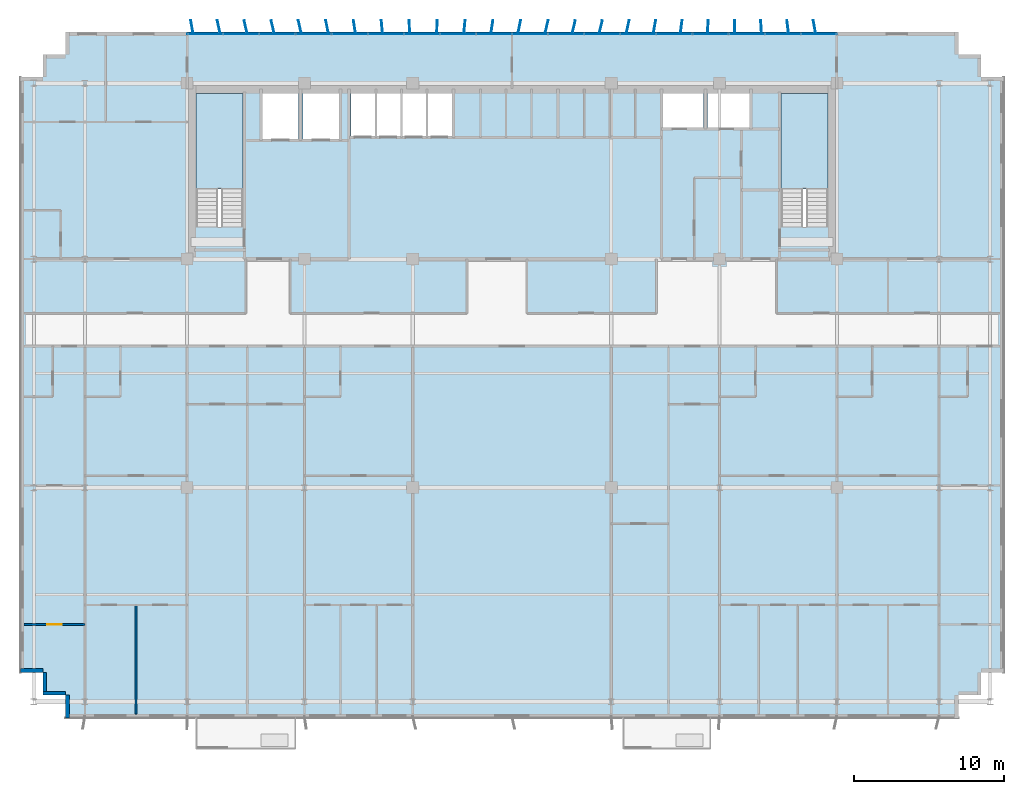
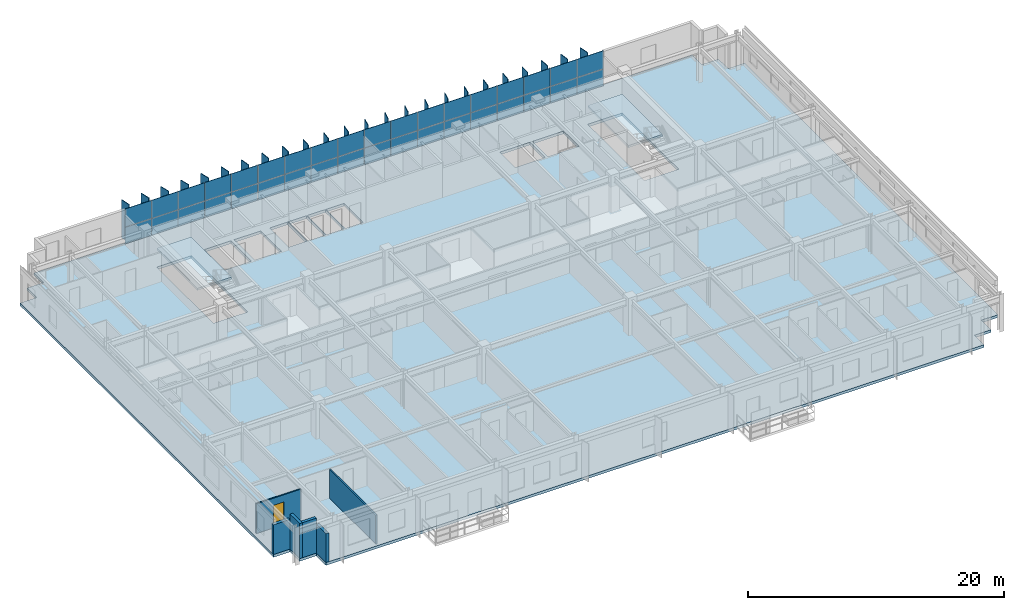
# One storey, part 13 of 22: 60 plates, 6 walls, 3 slabs, 1 door, 1 opening, 3 elements without a shape of their own.
"""IFC4 building model written with IfcOpenShell, lengths in metres."""

import ifcopenshell
import ifcopenshell.guid

model = None  # the IFC model being written
_history = None  # IfcOwnerHistory: only IFC2X3 demands one
_inside = {}  # id of a spatial element -> (the spatial element, [elements in it])
_under = {}  # id of a project, library or spatial element -> (it, [spatial elements below it])
_declared = {}  # id of a project -> (the project, [libraries it declares])
_typed = {}  # id of a type object -> (the type object, [elements of that type])
_made_of = {}  # id of a material, layer set ... -> (it, [elements and type objects made of it])


def new_model(schema):
    """Start an empty IFC model of exactly this schema.

    Asked for "IFC4X3", IfcOpenShell would pick the latest addendum, in which some entities
    have other attributes; the version numbers below select the first issue.
    IFC2X3 requires an IfcOwnerHistory on every rooted entity: one is made here for all.
    """
    global model, _history
    if schema == "IFC4X3":
        model = ifcopenshell.file(schema_version=(4, 3, 0, 0))
    else:
        model = ifcopenshell.file(schema=schema)
    _inside.clear()
    _under.clear()
    _declared.clear()
    _typed.clear()
    _made_of.clear()
    _history = None
    if model.schema == "IFC2X3":
        org = make("IfcOrganization", Name="unknown")
        user = make(
            "IfcPersonAndOrganization",
            ThePerson=make("IfcPerson", FamilyName="unknown"),
            TheOrganization=org,
        )
        app = make(
            "IfcApplication",
            ApplicationDeveloper=org,
            Version="unknown",
            ApplicationFullName="unknown",
            ApplicationIdentifier="unknown",
        )
        _history = make(
            "IfcOwnerHistory",
            OwningUser=user,
            OwningApplication=app,
            ChangeAction="ADDED",
            CreationDate=0,
        )
    return model


def make(cls, **values):
    """One entity of the class cls with the attributes given. An attribute that is None is left unset."""
    return model.create_entity(
        cls, **{name: value for name, value in values.items() if value is not None}
    )


def rooted(cls, **values):
    """An entity with a GlobalId (a new one), such as an element, a storey or a relation."""
    return make(cls, GlobalId=ifcopenshell.guid.new(), OwnerHistory=_history, **values)


def si_unit(unit_type, name, prefix=None):
    """IfcSIUnit, for example si_unit("LENGTHUNIT", "METRE", prefix="MILLI")."""
    return make("IfcSIUnit", UnitType=unit_type, Prefix=prefix, Name=name)


def assignment(units):
    """IfcUnitAssignment: the units of a project."""
    return None if units is None else make("IfcUnitAssignment", Units=units)


def point(xyz):
    """IfcCartesianPoint."""
    return None if xyz is None else make("IfcCartesianPoint", Coordinates=xyz)


def direction(xyz):
    """IfcDirection."""
    return None if xyz is None else make("IfcDirection", DirectionRatios=xyz)


def frame(location, z_axis=None, x_axis=None):
    """IfcAxis2Placement3D, a coordinate frame: its origin and axes. An axis left out is left unset."""
    return make(
        "IfcAxis2Placement3D",
        Location=point(location),
        Axis=direction(z_axis),
        RefDirection=direction(x_axis),
    )


def frame_2d(location, x_axis=None):
    """IfcAxis2Placement2D, a coordinate frame in the plane: its origin and x axis."""
    return make(
        "IfcAxis2Placement2D", Location=point(location), RefDirection=direction(x_axis)
    )


def origin():
    """The frame at (0, 0, 0) with its axes left unset."""
    return frame((0.0, 0.0, 0.0))


def origin_2d():
    """The frame at (0, 0) in the plane with its x axis left unset."""
    return frame_2d((0.0, 0.0))


def place(relative_to, where):
    """IfcLocalPlacement: puts the frame where relative to a parent placement (None: the world)."""
    return make(
        "IfcLocalPlacement", PlacementRelTo=relative_to, RelativePlacement=where
    )


def context(
    kind, dimensions, precision=None, world=None, true_north=None, identifier=None
):
    """IfcGeometricRepresentationContext, for example the 3D "Model" context."""
    return make(
        "IfcGeometricRepresentationContext",
        ContextIdentifier=identifier,
        ContextType=kind,
        CoordinateSpaceDimension=dimensions,
        Precision=precision,
        WorldCoordinateSystem=world,
        TrueNorth=true_north,
    )


def subcontext(parent, identifier, kind, view, scale=None):
    """IfcGeometricRepresentationSubContext, for example "Body" below "Model"."""
    return make(
        "IfcGeometricRepresentationSubContext",
        ContextIdentifier=identifier,
        ContextType=kind,
        ParentContext=parent,
        TargetScale=scale,
        TargetView=view,
    )


def project(units=None, contexts=None):
    """IfcProject with its units and contexts."""
    return rooted(
        "IfcProject",
        Name="project",
        RepresentationContexts=contexts,
        UnitsInContext=assignment(units),
    )


def spatial(cls, under=None, at=None, **own):
    """A site, building, storey or space (cls), placed at a placement, below another one or the project."""
    s = rooted(cls, ObjectPlacement=at, **own)
    if under is not None:
        _under.setdefault(under.id(), (under, []))[1].append(s)
    return s


def polyline(points):
    """IfcPolyline through the points."""
    return make("IfcPolyline", Points=[point(p) for p in points])


def profile(cls, at=None, kind="AREA", **sizes):
    """A parametric profile (cls). Its sizes go by their IFC names, for example OverallWidth=200.0."""
    return make(cls, ProfileType=kind, Position=at, **sizes)


def rectangle(**sizes):
    """IfcRectangleProfileDef."""
    return profile("IfcRectangleProfileDef", **sizes)


def outline(outer, holes=None, kind="AREA"):
    """IfcArbitraryClosedProfileDef: a profile drawn as a closed curve; with holes, ...WithVoids."""
    if holes is None:
        return make("IfcArbitraryClosedProfileDef", ProfileType=kind, OuterCurve=outer)
    return make(
        "IfcArbitraryProfileDefWithVoids",
        ProfileType=kind,
        OuterCurve=outer,
        InnerCurves=holes,
    )


def extrude(swept, where, along, depth):
    """IfcExtrudedAreaSolid: the profile swept, set in the frame where, extruded along a direction by depth."""
    return make(
        "IfcExtrudedAreaSolid",
        SweptArea=swept,
        Position=where,
        ExtrudedDirection=direction(along),
        Depth=depth,
    )


def shape(context_of_items, identifier, shape_type, items):
    """IfcShapeRepresentation: the items that make up one representation, for example the "Body"."""
    return make(
        "IfcShapeRepresentation",
        ContextOfItems=context_of_items,
        RepresentationIdentifier=identifier,
        RepresentationType=shape_type,
        Items=items,
    )


def source(mapping_origin, context_of_items, identifier, shape_type, items):
    """IfcRepresentationMap: a shape defined once, which mapped items show again and again."""
    return make(
        "IfcRepresentationMap",
        MappingOrigin=mapping_origin,
        MappedRepresentation=shape(context_of_items, identifier, shape_type, items),
    )


def transform(
    local_origin,
    x_axis=None,
    y_axis=None,
    z_axis=None,
    scale=None,
    scale2=None,
    scale3=None,
    uniform=True,
):
    """IfcCartesianTransformationOperator3D, or its non-uniform kind. x_axis, y_axis, z_axis: its Axis1, 2, 3."""
    if uniform:
        return make(
            "IfcCartesianTransformationOperator3D",
            Axis1=direction(x_axis),
            Axis2=direction(y_axis),
            LocalOrigin=point(local_origin),
            Scale=scale,
            Axis3=direction(z_axis),
        )
    return make(
        "IfcCartesianTransformationOperator3DnonUniform",
        Axis1=direction(x_axis),
        Axis2=direction(y_axis),
        LocalOrigin=point(local_origin),
        Scale=scale,
        Axis3=direction(z_axis),
        Scale2=scale2,
        Scale3=scale3,
    )


def mapped(mapping_source, mapping_target):
    """IfcMappedItem: shows the shape of a source again, moved by a transform."""
    return make(
        "IfcMappedItem", MappingSource=mapping_source, MappingTarget=mapping_target
    )


def material(Name=None, Category=None):
    """IfcMaterial."""
    return make("IfcMaterial", Name=Name, Category=Category)


def layer(
    of_material, thickness, ventilated=None, Name=None, Category=None, Priority=None
):
    """IfcMaterialLayer: one layer of a wall or slab, of a material (None: an air gap)."""
    return make(
        "IfcMaterialLayer",
        Material=of_material,
        LayerThickness=thickness,
        IsVentilated=ventilated,
        Name=Name,
        Category=Category,
        Priority=Priority,
    )


def layer_set(layers, Name=None):
    """IfcMaterialLayerSet."""
    return make("IfcMaterialLayerSet", MaterialLayers=layers, LayerSetName=Name)


def made_of(thing, what):
    """Note that an element or type object is made of a material, layer set ...; save() writes the relation."""
    if what is not None:
        _made_of.setdefault(what.id(), (what, []))[1].append(thing)
    return thing


def type_object(cls, material=None, **own):
    """A type object (cls), such as IfcWallType, which elements share."""
    return made_of(rooted(cls, **own), material)


def element(
    cls,
    number,
    at=None,
    inside=None,
    cuts=None,
    type_object=None,
    material=None,
    context=None,
    identifier="Body",
    shape_type=None,
    held_by="IfcProductDefinitionShape",
    body=None,
    shapes=None,
    **own,
):
    """One element of the class cls, such as IfcWall. Its Tag is "e" and its number.

    at: its placement. inside: the storey or other place that contains it. cuts: it is an
    opening in that element (IfcRelVoidsElement). A single representation is given by context,
    identifier, shape_type and body (its items); several are given by shapes. held_by: the class
    of the entity that holds the representations. save() writes the other relations.
    """
    e = rooted(cls, Tag="e%d" % number, ObjectPlacement=at, **own)
    if body is not None:
        shapes = [shape(context, identifier, shape_type, body)]
    if shapes is not None:
        e.Representation = make(held_by, Representations=shapes)
    if inside is not None:
        _inside.setdefault(inside.id(), (inside, []))[1].append(e)
    if cuts is not None:
        rooted(
            "IfcRelVoidsElement", RelatingBuildingElement=cuts, RelatedOpeningElement=e
        )
    if type_object is not None:
        _typed.setdefault(type_object.id(), (type_object, []))[1].append(e)
    return made_of(e, material)


def fill(opening, filler):
    """IfcRelFillsElement: the door or window that sits in an opening."""
    return rooted(
        "IfcRelFillsElement",
        RelatingOpeningElement=opening,
        RelatedBuildingElement=filler,
    )


def aggregate(whole, parts):
    """IfcRelAggregates: a whole, such as a stair, and the parts it consists of."""
    return rooted("IfcRelAggregates", RelatingObject=whole, RelatedObjects=parts)


def save(model, path):
    """Write the relations noted so far, then the file.

    IfcRelAggregates (storeys below a building ...), IfcRelContainedInSpatialStructure (elements
    in a storey), IfcRelDefinesByType, IfcRelAssociatesMaterial and IfcRelDeclares: one each for
    every whole, place, type object, material and project.
    """
    for whole, parts in _under.values():
        aggregate(whole, parts)
    for where, things in _inside.values():
        rooted(
            "IfcRelContainedInSpatialStructure",
            RelatedElements=things,
            RelatingStructure=where,
        )
    for kind, things in _typed.values():
        rooted("IfcRelDefinesByType", RelatedObjects=things, RelatingType=kind)
    for what, things in _made_of.values():
        rooted("IfcRelAssociatesMaterial", RelatedObjects=things, RelatingMaterial=what)
    for by, libraries in _declared.values():
        rooted("IfcRelDeclares", RelatingContext=by, RelatedDefinitions=libraries)
    model.write(path)


model = new_model("IFC4")

# Units and contexts
model_context = context("Model", 3, precision=1e-05, world=origin(), true_north=direction((0.0, 1.0)))
body_context = subcontext(model_context, "Body", "Model", "MODEL_VIEW")
ifc_project = project(units=[si_unit("LENGTHUNIT", "METRE"), si_unit("AREAUNIT", "SQUARE_METRE"), si_unit("VOLUMEUNIT", "CUBIC_METRE"), si_unit("PLANEANGLEUNIT", "RADIAN"), si_unit("MASSUNIT", "GRAM", prefix="KILO")], contexts=[model_context])

# Site, building, storey
site_placement = place(None, origin())
site = spatial("IfcSite", under=ifc_project, at=site_placement, CompositionType="ELEMENT")
building_placement = place(site_placement, origin())
building = spatial("IfcBuilding", under=site, at=building_placement, Name="Trelvane Seafront Commons", CompositionType="ELEMENT")
storey_placement = place(building_placement, frame((0.0, 0.0, 92.5)))
storey = spatial("IfcBuildingStorey", under=building, at=storey_placement, Name="L23", CompositionType="ELEMENT", Elevation=92.5)

# Stair, slab
ifc_material_1 = material(Name="Concrete C40/50", Category="concrete")
stair_type_1 = type_object("IfcStairType", Name="ARCH-STR-ST-1-R20-180", PredefinedType="HALF_TURN_STAIR", material=ifc_material_1)
stair_1_placement = place(storey_placement, origin())
stair_1 = element("IfcStair", 1, at=stair_1_placement, inside=storey, type_object=stair_type_1, Name="L23 West Protected Firefighting Exit Stair ST-1", PredefinedType="HALF_TURN_STAIR")
ifc_layer_1 = layer(ifc_material_1, 0.199951171875, Name="ARCH-LND-200")
ifc_layer_set_1 = layer_set([ifc_layer_1], Name="Concrete C40/50")
slab_type_1 = type_object("IfcSlabType", Name="ARCH-LND-200", PredefinedType="LANDING", material=ifc_layer_set_1)
slab_1_placement = place(storey_placement, frame((0.0, 0.0, 1.60009765625)))
slab_1 = element("IfcSlab", 2, at=slab_1_placement, type_object=slab_type_1, Name="ST-1 landing 1", PredefinedType="LANDING", context=body_context, shape_type="SweptSolid", body=[
    extrude(outline(polyline([(19.300048828125, 38.070068359375), (19.300048828125, 44.39990234375), (16.199951171875, 44.39990234375), (16.199951171875, 38.070068359375), (19.300048828125, 38.070068359375)])), origin(), (0.0, 0.0, 1.0), 0.199951171875),
])
aggregate(stair_1, [slab_1])

stair_type_2 = type_object("IfcStairType", Name="ARCH-STR-ST-2-R20-180", PredefinedType="HALF_TURN_STAIR", material=ifc_material_1)
stair_2_placement = place(storey_placement, origin())
stair_2 = element("IfcStair", 3, at=stair_2_placement, inside=storey, type_object=stair_type_2, Name="L23 East Protected Firefighting Exit Stair ST-2", PredefinedType="HALF_TURN_STAIR")
slab_2_placement = place(storey_placement, frame((0.0, 0.0, 1.60009765625)))
slab_2 = element("IfcSlab", 4, at=slab_2_placement, type_object=slab_type_1, Name="ST-2 landing 1", PredefinedType="LANDING", context=body_context, shape_type="SweptSolid", body=[
    extrude(outline(polyline([(58.199951171875, 38.070068359375), (58.199951171875, 44.39990234375), (55.10009765625, 44.39990234375), (55.10009765625, 38.070068359375), (58.199951171875, 38.070068359375)])), origin(), (0.0, 0.0, 1.0), 0.199951171875),
])
aggregate(stair_2, [slab_2])

# Slab
ifc_material_2 = material(Name="Concrete C50/60", Category="concrete")
ifc_layer_2 = layer(ifc_material_2, 0.260009765625, Name="STR-SLB-Z1-260")
ifc_layer_set_2 = layer_set([ifc_layer_2], Name="Concrete C50/60")
slab_type_2 = type_object("IfcSlabType", Name="STR-SLB-Z1-260", PredefinedType="FLOOR", material=ifc_layer_set_2)
slab_3_placement = place(storey_placement, frame((0.0, 0.0, -0.260009765625)))
element("IfcSlab", 5, at=slab_3_placement, inside=storey, type_object=slab_type_2, Name="L23 Structural Floor Slab", PredefinedType="FLOOR", context=body_context, shape_type="SweptSolid", body=[
    extrude(outline(polyline([(7.5, 2.89990234375), (66.89990234375, 2.89990234375), (66.89990234375, 4.39990234375), (68.39990234375, 4.39990234375), (68.39990234375, 5.89990234375), (69.89990234375, 5.89990234375), (69.89990234375, 45.5), (68.39990234375, 45.5), (68.39990234375, 47.0), (66.89990234375, 47.0), (66.89990234375, 48.5), (7.5, 48.5), (7.5, 47.0), (6.0, 47.0), (6.0, 45.5), (4.5, 45.5), (4.5, 5.89990234375), (6.0, 5.89990234375), (6.0, 4.39990234375), (7.5, 4.39990234375), (7.5, 2.89990234375)]), holes=[polyline([(19.300048828125, 35.550048828125), (16.199951171875, 35.550048828125), (16.199951171875, 44.39990234375), (19.300048828125, 44.39990234375), (19.300048828125, 35.550048828125)]), polyline([(58.199951171875, 35.550048828125), (55.10009765625, 35.550048828125), (55.10009765625, 44.39990234375), (58.199951171875, 44.39990234375), (58.199951171875, 35.550048828125)]), polyline([(23.0, 41.39990234375), (20.60009765625, 41.39990234375), (20.60009765625, 44.60009765625), (23.0, 44.60009765625), (23.0, 41.39990234375)]), polyline([(23.300048828125, 41.39990234375), (23.300048828125, 44.60009765625), (25.699951171875, 44.60009765625), (25.699951171875, 41.39990234375), (23.300048828125, 41.39990234375)]), polyline([(26.5, 41.60009765625), (26.5, 44.60009765625), (28.1201171875, 44.60009765625), (28.1201171875, 41.60009765625), (26.5, 41.60009765625)]), polyline([(29.820068359375, 41.60009765625), (28.199951171875, 41.60009765625), (28.199951171875, 44.60009765625), (29.820068359375, 44.60009765625), (29.820068359375, 41.60009765625)]), polyline([(31.52001953125, 41.60009765625), (29.89990234375, 41.60009765625), (29.89990234375, 44.60009765625), (31.52001953125, 44.60009765625), (31.52001953125, 41.60009765625)]), polyline([(33.219970703125, 41.60009765625), (31.60009765625, 41.60009765625), (31.60009765625, 44.60009765625), (33.219970703125, 44.60009765625), (33.219970703125, 41.60009765625)]), polyline([(47.25, 42.14990234375), (47.25, 44.550048828125), (49.949951171875, 44.550048828125), (49.949951171875, 42.14990234375), (47.25, 42.14990234375)]), polyline([(50.199951171875, 42.14990234375), (50.199951171875, 44.550048828125), (53.0, 44.550048828125), (53.0, 42.14990234375), (50.199951171875, 42.14990234375)])]), origin(), (0.0, 0.0, 1.0), 0.260009765625),
])

# Plates
ifc_material_3 = material(Name="Anodised pale-silver aluminium", Category="aluminium")
ifc_layer_3 = layer(ifc_material_3, 0.06005859375, Name="ARCH-PLATE-FIN900")
ifc_layer_set_3 = layer_set([ifc_layer_3], Name="Anodised pale-silver aluminium")
plate_type_1 = type_object("IfcPlateType", Name="ARCH-PLATE-FIN900", PredefinedType="USERDEFINED", material=ifc_layer_set_3)
shared_shape_1 = source(origin(), body_context, "Body", "SweptSolid", [
    extrude(rectangle(XDim=0.89990234375, YDim=0.06005859375, at=origin_2d()), origin(), (0.0, 0.0, 1.0), 3.639892578125),
])
for number, where, z_axis, x_axis, name in (
    (6, (15.920166015625, 48.8427734375, -0.02001953125), (0.0, 0.0, 1.0), (-0.177447172579, 0.984130327215, 0.0), "FIN-L23-00551"),
    (7, (17.703125, 48.83935546875, -0.02001953125), (0.0, 0.0, 1.0), (-0.215118848907, 0.976587876663, 0.0), "FIN-L23-00552"),
    (8, (19.493408203125, 48.837158203125, -0.02001953125), (0.0, 0.0, 1.0), (-0.236883928976, 0.971537958184, 0.0), "FIN-L23-00553"),
    (9, (21.29150390625, 48.836669921875, -0.02001953125), (0.0, 0.0, 1.0), (-0.241332518054, 0.970442484504, 0.0), "FIN-L23-00554"),
    (10, (23.09716796875, 48.838134765625, -0.02001953125), (0.0, 0.0, 1.0), (-0.228338975583, 0.973581692633, 0.0), "FIN-L23-00555"),
    (11, (24.91064453125, 48.841064453125, -0.02001953125), (0.0, 0.0, 1.0), (-0.198444288732, 0.980112169228, 0.0), "FIN-L23-00556"),
    (12, (26.730712890625, 48.8447265625, -0.02001953125), (0.0, 0.0, 1.0), (-0.153777462919, 0.988105506461, 0.0), "FIN-L23-00557"),
    (13, (28.55615234375, 48.847900390625, -0.02001953125), (0.0, 0.0, 1.0), (-0.097445675872, 0.99524084535, 0.0), "FIN-L23-00558"),
    (14, (30.385009765625, 48.849853515625, -0.02001953125), (0.0, 0.0, 1.0), (-0.033554636391, 0.999436884639, 0.0), "FIN-L23-00559"),
    (15, (32.21484375, 48.849853515625, -0.02001953125), (0.0, 0.0, 1.0), (0.032999929086, 0.999455354021, 0.0), "FIN-L23-00560"),
    (16, (34.043701171875, 48.847900390625, -0.02001953125), (0.0, 0.0, 1.0), (0.096884602001, 0.995295621358, 0.0), "FIN-L23-00561"),
    (17, (35.868896484375, 48.8447265625, -0.02001953125), (0.0, 0.0, 1.0), (0.153325609663, 0.988175721935, 0.0), "FIN-L23-00562"),
    (18, (37.689208984375, 48.841064453125, -0.02001953125), (0.0, 0.0, 1.0), (0.198102152961, 0.98018137964, 0.0), "FIN-L23-00563"),
    (19, (39.502685546875, 48.838134765625, -0.02001953125), (0.0, 0.0, 1.0), (0.228104476519, 0.973636661076, 0.0), "FIN-L23-00564"),
    (20, (41.30859375, 48.836669921875, -0.02001953125), (0.0, 0.0, 1.0), (0.241332518054, 0.970442484504, 0.0), "FIN-L23-00565"),
    (21, (43.106689453125, 48.837158203125, -0.02001953125), (0.0, 0.0, 1.0), (0.236989058114, 0.971512319188, 0.0), "FIN-L23-00566"),
    (22, (44.89697265625, 48.83935546875, -0.02001953125), (0.0, 0.0, 1.0), (0.215330197823, 0.976541297593, 0.0), "FIN-L23-00567"),
    (23, (46.679931640625, 48.8427734375, -0.02001953125), (0.0, 0.0, 1.0), (0.177770077734, 0.984072049935, 0.0), "FIN-L23-00568"),
    (24, (48.45703125, 48.846435546875, -0.02001953125), (0.0, 0.0, 1.0), (0.126893219649, 0.991916382971, 0.0), "FIN-L23-00569"),
    (25, (50.229736328125, 48.84912109375, -0.02001953125), (0.0, 0.0, 1.0), (0.066113682274, 0.997812097048, 0.0), "FIN-L23-00570"),
    (26, (52.000244140625, 48.85009765625, -0.02001953125), (0.0, 0.0, 1.0), (0.000333357881, 0.999999944436, 0.0), "FIN-L23-00571"),
    (27, (53.7705078125, 48.84912109375, -0.02001953125), (0.0, 0.0, 1.0), (-0.065552905436, 0.997849095098, 0.0), "FIN-L23-00572"),
    (28, (55.543212890625, 48.846435546875, -0.02001953125), (0.0, 0.0, 1.0), (-0.126332283891, 0.991987980798, 0.0), "FIN-L23-00573"),
    (29, (57.320068359375, 48.8427734375, -0.02001953125), (0.0, 0.0, 1.0), (-0.177447172579, 0.984130327215, 0.0), "FIN-L23-00574"),
):
    element("IfcPlate", number, at=place(storey_placement, frame(where, z_axis=z_axis, x_axis=x_axis)), inside=storey, type_object=plate_type_1, Name=name, ObjectType="FIN", PredefinedType="USERDEFINED", context=body_context, shape_type="MappedRepresentation", body=[
        mapped(shared_shape_1, transform((0.0, 0.0, 0.0), x_axis=(1.0, 0.0, 0.0), y_axis=(0.0, 1.0, 0.0), z_axis=(0.0, 0.0, 1.0), scale=1.0)),
    ])

# Curtain wall, plates
curtain_wall_type = type_object("IfcCurtainWallType", Name="ARCH-CW4-SKYLOBBY", PredefinedType="NOTDEFINED", material=ifc_material_3)
curtain_wall_placement = place(storey_placement, origin())
curtain_wall = element("IfcCurtainWall", 30, at=curtain_wall_placement, inside=storey, type_object=curtain_wall_type, Name="CW-L23-0048", PredefinedType="NOTDEFINED")
ifc_material_4 = material(Name="Low-E coastal double glazing", Category="glass")
ifc_layer_4 = layer(ifc_material_4, 0.033935546875, Name="ARCH-CW-GLAZ-34")
ifc_layer_set_4 = layer_set([ifc_layer_4], Name="Low-E coastal double glazing")
plate_type_2 = type_object("IfcPlateType", Name="ARCH-CW-GLAZ-34", PredefinedType="CURTAIN_PANEL", material=ifc_layer_set_4)
shared_shape_2 = source(origin(), body_context, "Body", "SweptSolid", [
    extrude(rectangle(XDim=2.3759765625, YDim=0.0400390625, at=origin_2d()), origin(), (0.0, 0.0, 1.0), 1.5849609375),
])
plate_1_placement = place(storey_placement, frame((16.800048828125, 48.3701171875, 0.0), z_axis=(0.0, 0.0, 1.0), x_axis=(1.0, 0.0, 0.0)))
plate_1 = element("IfcPlate", 31, at=plate_1_placement, type_object=plate_type_2, Name="CW-L23-0048-P00-1", PredefinedType="CURTAIN_PANEL", context=body_context, shape_type="MappedRepresentation", body=[
    mapped(shared_shape_2, transform((0.0, 0.0, 0.0), x_axis=(1.0, 0.0, 0.0), y_axis=(0.0, 1.0, 0.0), z_axis=(0.0, 0.0, 1.0), scale=1.0)),
])
plate_2_placement = place(storey_placement, frame((19.199951171875, 48.3701171875, 0.0), z_axis=(0.0, 0.0, 1.0), x_axis=(1.0, 0.0, 0.0)))
plate_2 = element("IfcPlate", 32, at=plate_2_placement, type_object=plate_type_2, Name="CW-L23-0048-P01-1", PredefinedType="CURTAIN_PANEL", context=body_context, shape_type="MappedRepresentation", body=[
    mapped(shared_shape_2, transform((0.0, 0.0, 0.0), x_axis=(1.0, 0.0, 0.0), y_axis=(0.0, 1.0, 0.0), z_axis=(0.0, 0.0, 1.0), scale=1.0)),
])
plate_3_placement = place(storey_placement, frame((21.60009765625, 48.3701171875, 0.0), z_axis=(0.0, 0.0, 1.0), x_axis=(1.0, 0.0, 0.0)))
plate_3 = element("IfcPlate", 33, at=plate_3_placement, type_object=plate_type_2, Name="CW-L23-0048-P02-1", PredefinedType="CURTAIN_PANEL", context=body_context, shape_type="MappedRepresentation", body=[
    mapped(shared_shape_2, transform((0.0, 0.0, 0.0), x_axis=(1.0, 0.0, 0.0), y_axis=(0.0, 1.0, 0.0), z_axis=(0.0, 0.0, 1.0), scale=1.0)),
])
plate_4_placement = place(storey_placement, frame((24.0, 48.3701171875, 0.0), z_axis=(0.0, 0.0, 1.0), x_axis=(1.0, 0.0, 0.0)))
plate_4 = element("IfcPlate", 34, at=plate_4_placement, type_object=plate_type_2, Name="CW-L23-0048-P03-1", PredefinedType="CURTAIN_PANEL", context=body_context, shape_type="MappedRepresentation", body=[
    mapped(shared_shape_2, transform((0.0, 0.0, 0.0), x_axis=(1.0, 0.0, 0.0), y_axis=(0.0, 1.0, 0.0), z_axis=(0.0, 0.0, 1.0), scale=1.0)),
])
plate_5_placement = place(storey_placement, frame((26.39990234375, 48.3701171875, 0.0), z_axis=(0.0, 0.0, 1.0), x_axis=(1.0, 0.0, 0.0)))
plate_5 = element("IfcPlate", 35, at=plate_5_placement, type_object=plate_type_2, Name="CW-L23-0048-P04-1", PredefinedType="CURTAIN_PANEL", context=body_context, shape_type="MappedRepresentation", body=[
    mapped(shared_shape_2, transform((0.0, 0.0, 0.0), x_axis=(1.0, 0.0, 0.0), y_axis=(0.0, 1.0, 0.0), z_axis=(0.0, 0.0, 1.0), scale=1.0)),
])
plate_6_placement = place(storey_placement, frame((28.800048828125, 48.3701171875, 0.0), z_axis=(0.0, 0.0, 1.0), x_axis=(1.0, 0.0, 0.0)))
plate_6 = element("IfcPlate", 36, at=plate_6_placement, type_object=plate_type_2, Name="CW-L23-0048-P05-1", PredefinedType="CURTAIN_PANEL", context=body_context, shape_type="MappedRepresentation", body=[
    mapped(shared_shape_2, transform((0.0, 0.0, 0.0), x_axis=(1.0, 0.0, 0.0), y_axis=(0.0, 1.0, 0.0), z_axis=(0.0, 0.0, 1.0), scale=1.0)),
])
plate_7_placement = place(storey_placement, frame((31.199951171875, 48.3701171875, 0.0), z_axis=(0.0, 0.0, 1.0), x_axis=(1.0, 0.0, 0.0)))
plate_7 = element("IfcPlate", 37, at=plate_7_placement, type_object=plate_type_2, Name="CW-L23-0048-P06-1", PredefinedType="CURTAIN_PANEL", context=body_context, shape_type="MappedRepresentation", body=[
    mapped(shared_shape_2, transform((0.0, 0.0, 0.0), x_axis=(1.0, 0.0, 0.0), y_axis=(0.0, 1.0, 0.0), z_axis=(0.0, 0.0, 1.0), scale=1.0)),
])
plate_8_placement = place(storey_placement, frame((33.60009765625, 48.3701171875, 0.0), z_axis=(0.0, 0.0, 1.0), x_axis=(1.0, 0.0, 0.0)))
plate_8 = element("IfcPlate", 38, at=plate_8_placement, type_object=plate_type_2, Name="CW-L23-0048-P07-1", PredefinedType="CURTAIN_PANEL", context=body_context, shape_type="MappedRepresentation", body=[
    mapped(shared_shape_2, transform((0.0, 0.0, 0.0), x_axis=(1.0, 0.0, 0.0), y_axis=(0.0, 1.0, 0.0), z_axis=(0.0, 0.0, 1.0), scale=1.0)),
])
plate_9_placement = place(storey_placement, frame((36.0, 48.3701171875, 0.0), z_axis=(0.0, 0.0, 1.0), x_axis=(1.0, 0.0, 0.0)))
plate_9 = element("IfcPlate", 39, at=plate_9_placement, type_object=plate_type_2, Name="CW-L23-0048-P08-1", PredefinedType="CURTAIN_PANEL", context=body_context, shape_type="MappedRepresentation", body=[
    mapped(shared_shape_2, transform((0.0, 0.0, 0.0), x_axis=(1.0, 0.0, 0.0), y_axis=(0.0, 1.0, 0.0), z_axis=(0.0, 0.0, 1.0), scale=1.0)),
])
plate_10_placement = place(storey_placement, frame((38.39990234375, 48.3701171875, 0.0), z_axis=(0.0, 0.0, 1.0), x_axis=(1.0, 0.0, 0.0)))
plate_10 = element("IfcPlate", 40, at=plate_10_placement, type_object=plate_type_2, Name="CW-L23-0048-P09-1", PredefinedType="CURTAIN_PANEL", context=body_context, shape_type="MappedRepresentation", body=[
    mapped(shared_shape_2, transform((0.0, 0.0, 0.0), x_axis=(1.0, 0.0, 0.0), y_axis=(0.0, 1.0, 0.0), z_axis=(0.0, 0.0, 1.0), scale=1.0)),
])
plate_11_placement = place(storey_placement, frame((40.800048828125, 48.3701171875, 0.0), z_axis=(0.0, 0.0, 1.0), x_axis=(1.0, 0.0, 0.0)))
plate_11 = element("IfcPlate", 41, at=plate_11_placement, type_object=plate_type_2, Name="CW-L23-0048-P10-1", PredefinedType="CURTAIN_PANEL", context=body_context, shape_type="MappedRepresentation", body=[
    mapped(shared_shape_2, transform((0.0, 0.0, 0.0), x_axis=(1.0, 0.0, 0.0), y_axis=(0.0, 1.0, 0.0), z_axis=(0.0, 0.0, 1.0), scale=1.0)),
])
plate_12_placement = place(storey_placement, frame((43.199951171875, 48.3701171875, 0.0), z_axis=(0.0, 0.0, 1.0), x_axis=(1.0, 0.0, 0.0)))
plate_12 = element("IfcPlate", 42, at=plate_12_placement, type_object=plate_type_2, Name="CW-L23-0048-P11-1", PredefinedType="CURTAIN_PANEL", context=body_context, shape_type="MappedRepresentation", body=[
    mapped(shared_shape_2, transform((0.0, 0.0, 0.0), x_axis=(1.0, 0.0, 0.0), y_axis=(0.0, 1.0, 0.0), z_axis=(0.0, 0.0, 1.0), scale=1.0)),
])
plate_13_placement = place(storey_placement, frame((45.60009765625, 48.3701171875, 0.0), z_axis=(0.0, 0.0, 1.0), x_axis=(1.0, 0.0, 0.0)))
plate_13 = element("IfcPlate", 43, at=plate_13_placement, type_object=plate_type_2, Name="CW-L23-0048-P12-1", PredefinedType="CURTAIN_PANEL", context=body_context, shape_type="MappedRepresentation", body=[
    mapped(shared_shape_2, transform((0.0, 0.0, 0.0), x_axis=(1.0, 0.0, 0.0), y_axis=(0.0, 1.0, 0.0), z_axis=(0.0, 0.0, 1.0), scale=1.0)),
])
plate_14_placement = place(storey_placement, frame((48.0, 48.3701171875, 0.0), z_axis=(0.0, 0.0, 1.0), x_axis=(1.0, 0.0, 0.0)))
plate_14 = element("IfcPlate", 44, at=plate_14_placement, type_object=plate_type_2, Name="CW-L23-0048-P13-1", PredefinedType="CURTAIN_PANEL", context=body_context, shape_type="MappedRepresentation", body=[
    mapped(shared_shape_2, transform((0.0, 0.0, 0.0), x_axis=(1.0, 0.0, 0.0), y_axis=(0.0, 1.0, 0.0), z_axis=(0.0, 0.0, 1.0), scale=1.0)),
])
plate_15_placement = place(storey_placement, frame((50.39990234375, 48.3701171875, 0.0), z_axis=(0.0, 0.0, 1.0), x_axis=(1.0, 0.0, 0.0)))
plate_15 = element("IfcPlate", 45, at=plate_15_placement, type_object=plate_type_2, Name="CW-L23-0048-P14-1", PredefinedType="CURTAIN_PANEL", context=body_context, shape_type="MappedRepresentation", body=[
    mapped(shared_shape_2, transform((0.0, 0.0, 0.0), x_axis=(1.0, 0.0, 0.0), y_axis=(0.0, 1.0, 0.0), z_axis=(0.0, 0.0, 1.0), scale=1.0)),
])
plate_16_placement = place(storey_placement, frame((52.800048828125, 48.3701171875, 0.0), z_axis=(0.0, 0.0, 1.0), x_axis=(1.0, 0.0, 0.0)))
plate_16 = element("IfcPlate", 46, at=plate_16_placement, type_object=plate_type_2, Name="CW-L23-0048-P15-1", PredefinedType="CURTAIN_PANEL", context=body_context, shape_type="MappedRepresentation", body=[
    mapped(shared_shape_2, transform((0.0, 0.0, 0.0), x_axis=(1.0, 0.0, 0.0), y_axis=(0.0, 1.0, 0.0), z_axis=(0.0, 0.0, 1.0), scale=1.0)),
])
plate_17_placement = place(storey_placement, frame((55.199951171875, 48.3701171875, 0.0), z_axis=(0.0, 0.0, 1.0), x_axis=(1.0, 0.0, 0.0)))
plate_17 = element("IfcPlate", 47, at=plate_17_placement, type_object=plate_type_2, Name="CW-L23-0048-P16-1", PredefinedType="CURTAIN_PANEL", context=body_context, shape_type="MappedRepresentation", body=[
    mapped(shared_shape_2, transform((0.0, 0.0, 0.0), x_axis=(1.0, 0.0, 0.0), y_axis=(0.0, 1.0, 0.0), z_axis=(0.0, 0.0, 1.0), scale=1.0)),
])
plate_18_placement = place(storey_placement, frame((57.60009765625, 48.3701171875, 0.0), z_axis=(0.0, 0.0, 1.0), x_axis=(1.0, 0.0, 0.0)))
plate_18 = element("IfcPlate", 48, at=plate_18_placement, type_object=plate_type_2, Name="CW-L23-0048-P17-1", PredefinedType="CURTAIN_PANEL", context=body_context, shape_type="MappedRepresentation", body=[
    mapped(shared_shape_2, transform((0.0, 0.0, 0.0), x_axis=(1.0, 0.0, 0.0), y_axis=(0.0, 1.0, 0.0), z_axis=(0.0, 0.0, 1.0), scale=1.0)),
])
shared_shape_3 = source(origin(), body_context, "Body", "SweptSolid", [
    extrude(rectangle(XDim=2.3759765625, YDim=0.0400390625, at=origin_2d()), origin(), (0.0, 0.0, 1.0), 1.718994140625),
])
plate_19_placement = place(storey_placement, frame((16.800048828125, 48.3701171875, 1.62109375), z_axis=(0.0, 0.0, 1.0), x_axis=(1.0, 0.0, 0.0)))
plate_19 = element("IfcPlate", 49, at=plate_19_placement, type_object=plate_type_2, Name="CW-L23-0048-P00-2", PredefinedType="CURTAIN_PANEL", context=body_context, shape_type="MappedRepresentation", body=[
    mapped(shared_shape_3, transform((0.0, 0.0, 0.0), x_axis=(1.0, 0.0, 0.0), y_axis=(0.0, 1.0, 0.0), z_axis=(0.0, 0.0, 1.0), scale=1.0)),
])
plate_20_placement = place(storey_placement, frame((19.199951171875, 48.3701171875, 1.62109375), z_axis=(0.0, 0.0, 1.0), x_axis=(1.0, 0.0, 0.0)))
plate_20 = element("IfcPlate", 50, at=plate_20_placement, type_object=plate_type_2, Name="CW-L23-0048-P01-2", PredefinedType="CURTAIN_PANEL", context=body_context, shape_type="MappedRepresentation", body=[
    mapped(shared_shape_3, transform((0.0, 0.0, 0.0), x_axis=(1.0, 0.0, 0.0), y_axis=(0.0, 1.0, 0.0), z_axis=(0.0, 0.0, 1.0), scale=1.0)),
])
plate_21_placement = place(storey_placement, frame((21.60009765625, 48.3701171875, 1.62109375), z_axis=(0.0, 0.0, 1.0), x_axis=(1.0, 0.0, 0.0)))
plate_21 = element("IfcPlate", 51, at=plate_21_placement, type_object=plate_type_2, Name="CW-L23-0048-P02-2", PredefinedType="CURTAIN_PANEL", context=body_context, shape_type="MappedRepresentation", body=[
    mapped(shared_shape_3, transform((0.0, 0.0, 0.0), x_axis=(1.0, 0.0, 0.0), y_axis=(0.0, 1.0, 0.0), z_axis=(0.0, 0.0, 1.0), scale=1.0)),
])
plate_22_placement = place(storey_placement, frame((24.0, 48.3701171875, 1.62109375), z_axis=(0.0, 0.0, 1.0), x_axis=(1.0, 0.0, 0.0)))
plate_22 = element("IfcPlate", 52, at=plate_22_placement, type_object=plate_type_2, Name="CW-L23-0048-P03-2", PredefinedType="CURTAIN_PANEL", context=body_context, shape_type="MappedRepresentation", body=[
    mapped(shared_shape_3, transform((0.0, 0.0, 0.0), x_axis=(1.0, 0.0, 0.0), y_axis=(0.0, 1.0, 0.0), z_axis=(0.0, 0.0, 1.0), scale=1.0)),
])
plate_23_placement = place(storey_placement, frame((26.39990234375, 48.3701171875, 1.62109375), z_axis=(0.0, 0.0, 1.0), x_axis=(1.0, 0.0, 0.0)))
plate_23 = element("IfcPlate", 53, at=plate_23_placement, type_object=plate_type_2, Name="CW-L23-0048-P04-2", PredefinedType="CURTAIN_PANEL", context=body_context, shape_type="MappedRepresentation", body=[
    mapped(shared_shape_3, transform((0.0, 0.0, 0.0), x_axis=(1.0, 0.0, 0.0), y_axis=(0.0, 1.0, 0.0), z_axis=(0.0, 0.0, 1.0), scale=1.0)),
])
plate_24_placement = place(storey_placement, frame((28.800048828125, 48.3701171875, 1.62109375), z_axis=(0.0, 0.0, 1.0), x_axis=(1.0, 0.0, 0.0)))
plate_24 = element("IfcPlate", 54, at=plate_24_placement, type_object=plate_type_2, Name="CW-L23-0048-P05-2", PredefinedType="CURTAIN_PANEL", context=body_context, shape_type="MappedRepresentation", body=[
    mapped(shared_shape_3, transform((0.0, 0.0, 0.0), x_axis=(1.0, 0.0, 0.0), y_axis=(0.0, 1.0, 0.0), z_axis=(0.0, 0.0, 1.0), scale=1.0)),
])
plate_25_placement = place(storey_placement, frame((31.199951171875, 48.3701171875, 1.62109375), z_axis=(0.0, 0.0, 1.0), x_axis=(1.0, 0.0, 0.0)))
plate_25 = element("IfcPlate", 55, at=plate_25_placement, type_object=plate_type_2, Name="CW-L23-0048-P06-2", PredefinedType="CURTAIN_PANEL", context=body_context, shape_type="MappedRepresentation", body=[
    mapped(shared_shape_3, transform((0.0, 0.0, 0.0), x_axis=(1.0, 0.0, 0.0), y_axis=(0.0, 1.0, 0.0), z_axis=(0.0, 0.0, 1.0), scale=1.0)),
])
plate_26_placement = place(storey_placement, frame((33.60009765625, 48.3701171875, 1.62109375), z_axis=(0.0, 0.0, 1.0), x_axis=(1.0, 0.0, 0.0)))
plate_26 = element("IfcPlate", 56, at=plate_26_placement, type_object=plate_type_2, Name="CW-L23-0048-P07-2", PredefinedType="CURTAIN_PANEL", context=body_context, shape_type="MappedRepresentation", body=[
    mapped(shared_shape_3, transform((0.0, 0.0, 0.0), x_axis=(1.0, 0.0, 0.0), y_axis=(0.0, 1.0, 0.0), z_axis=(0.0, 0.0, 1.0), scale=1.0)),
])
plate_27_placement = place(storey_placement, frame((36.0, 48.3701171875, 1.62109375), z_axis=(0.0, 0.0, 1.0), x_axis=(1.0, 0.0, 0.0)))
plate_27 = element("IfcPlate", 57, at=plate_27_placement, type_object=plate_type_2, Name="CW-L23-0048-P08-2", PredefinedType="CURTAIN_PANEL", context=body_context, shape_type="MappedRepresentation", body=[
    mapped(shared_shape_3, transform((0.0, 0.0, 0.0), x_axis=(1.0, 0.0, 0.0), y_axis=(0.0, 1.0, 0.0), z_axis=(0.0, 0.0, 1.0), scale=1.0)),
])
plate_28_placement = place(storey_placement, frame((38.39990234375, 48.3701171875, 1.62109375), z_axis=(0.0, 0.0, 1.0), x_axis=(1.0, 0.0, 0.0)))
plate_28 = element("IfcPlate", 58, at=plate_28_placement, type_object=plate_type_2, Name="CW-L23-0048-P09-2", PredefinedType="CURTAIN_PANEL", context=body_context, shape_type="MappedRepresentation", body=[
    mapped(shared_shape_3, transform((0.0, 0.0, 0.0), x_axis=(1.0, 0.0, 0.0), y_axis=(0.0, 1.0, 0.0), z_axis=(0.0, 0.0, 1.0), scale=1.0)),
])
plate_29_placement = place(storey_placement, frame((40.800048828125, 48.3701171875, 1.62109375), z_axis=(0.0, 0.0, 1.0), x_axis=(1.0, 0.0, 0.0)))
plate_29 = element("IfcPlate", 59, at=plate_29_placement, type_object=plate_type_2, Name="CW-L23-0048-P10-2", PredefinedType="CURTAIN_PANEL", context=body_context, shape_type="MappedRepresentation", body=[
    mapped(shared_shape_3, transform((0.0, 0.0, 0.0), x_axis=(1.0, 0.0, 0.0), y_axis=(0.0, 1.0, 0.0), z_axis=(0.0, 0.0, 1.0), scale=1.0)),
])
plate_30_placement = place(storey_placement, frame((43.199951171875, 48.3701171875, 1.62109375), z_axis=(0.0, 0.0, 1.0), x_axis=(1.0, 0.0, 0.0)))
plate_30 = element("IfcPlate", 60, at=plate_30_placement, type_object=plate_type_2, Name="CW-L23-0048-P11-2", PredefinedType="CURTAIN_PANEL", context=body_context, shape_type="MappedRepresentation", body=[
    mapped(shared_shape_3, transform((0.0, 0.0, 0.0), x_axis=(1.0, 0.0, 0.0), y_axis=(0.0, 1.0, 0.0), z_axis=(0.0, 0.0, 1.0), scale=1.0)),
])
plate_31_placement = place(storey_placement, frame((45.60009765625, 48.3701171875, 1.62109375), z_axis=(0.0, 0.0, 1.0), x_axis=(1.0, 0.0, 0.0)))
plate_31 = element("IfcPlate", 61, at=plate_31_placement, type_object=plate_type_2, Name="CW-L23-0048-P12-2", PredefinedType="CURTAIN_PANEL", context=body_context, shape_type="MappedRepresentation", body=[
    mapped(shared_shape_3, transform((0.0, 0.0, 0.0), x_axis=(1.0, 0.0, 0.0), y_axis=(0.0, 1.0, 0.0), z_axis=(0.0, 0.0, 1.0), scale=1.0)),
])
plate_32_placement = place(storey_placement, frame((48.0, 48.3701171875, 1.62109375), z_axis=(0.0, 0.0, 1.0), x_axis=(1.0, 0.0, 0.0)))
plate_32 = element("IfcPlate", 62, at=plate_32_placement, type_object=plate_type_2, Name="CW-L23-0048-P13-2", PredefinedType="CURTAIN_PANEL", context=body_context, shape_type="MappedRepresentation", body=[
    mapped(shared_shape_3, transform((0.0, 0.0, 0.0), x_axis=(1.0, 0.0, 0.0), y_axis=(0.0, 1.0, 0.0), z_axis=(0.0, 0.0, 1.0), scale=1.0)),
])
plate_33_placement = place(storey_placement, frame((50.39990234375, 48.3701171875, 1.62109375), z_axis=(0.0, 0.0, 1.0), x_axis=(1.0, 0.0, 0.0)))
plate_33 = element("IfcPlate", 63, at=plate_33_placement, type_object=plate_type_2, Name="CW-L23-0048-P14-2", PredefinedType="CURTAIN_PANEL", context=body_context, shape_type="MappedRepresentation", body=[
    mapped(shared_shape_3, transform((0.0, 0.0, 0.0), x_axis=(1.0, 0.0, 0.0), y_axis=(0.0, 1.0, 0.0), z_axis=(0.0, 0.0, 1.0), scale=1.0)),
])
plate_34_placement = place(storey_placement, frame((52.800048828125, 48.3701171875, 1.62109375), z_axis=(0.0, 0.0, 1.0), x_axis=(1.0, 0.0, 0.0)))
plate_34 = element("IfcPlate", 64, at=plate_34_placement, type_object=plate_type_2, Name="CW-L23-0048-P15-2", PredefinedType="CURTAIN_PANEL", context=body_context, shape_type="MappedRepresentation", body=[
    mapped(shared_shape_3, transform((0.0, 0.0, 0.0), x_axis=(1.0, 0.0, 0.0), y_axis=(0.0, 1.0, 0.0), z_axis=(0.0, 0.0, 1.0), scale=1.0)),
])
plate_35_placement = place(storey_placement, frame((55.199951171875, 48.3701171875, 1.62109375), z_axis=(0.0, 0.0, 1.0), x_axis=(1.0, 0.0, 0.0)))
plate_35 = element("IfcPlate", 65, at=plate_35_placement, type_object=plate_type_2, Name="CW-L23-0048-P16-2", PredefinedType="CURTAIN_PANEL", context=body_context, shape_type="MappedRepresentation", body=[
    mapped(shared_shape_3, transform((0.0, 0.0, 0.0), x_axis=(1.0, 0.0, 0.0), y_axis=(0.0, 1.0, 0.0), z_axis=(0.0, 0.0, 1.0), scale=1.0)),
])
plate_36_placement = place(storey_placement, frame((57.60009765625, 48.3701171875, 1.62109375), z_axis=(0.0, 0.0, 1.0), x_axis=(1.0, 0.0, 0.0)))
plate_36 = element("IfcPlate", 66, at=plate_36_placement, type_object=plate_type_2, Name="CW-L23-0048-P17-2", PredefinedType="CURTAIN_PANEL", context=body_context, shape_type="MappedRepresentation", body=[
    mapped(shared_shape_3, transform((0.0, 0.0, 0.0), x_axis=(1.0, 0.0, 0.0), y_axis=(0.0, 1.0, 0.0), z_axis=(0.0, 0.0, 1.0), scale=1.0)),
])
aggregate(curtain_wall, [plate_1, plate_19, plate_2, plate_20, plate_3, plate_21, plate_4, plate_22, plate_5, plate_23, plate_6, plate_24, plate_7, plate_25, plate_8, plate_26, plate_9, plate_27, plate_10, plate_28, plate_11, plate_29, plate_12, plate_30, plate_13, plate_31, plate_14, plate_32, plate_15, plate_33, plate_16, plate_34, plate_17, plate_35, plate_18, plate_36])

# Walls
ifc_material_5 = material(Name="Precast concrete C40/50", Category="concrete")
ifc_layer_5 = layer(ifc_material_5, 0.260009765625, Name="ARCH-WALL-EXT260")
ifc_layer_set_5 = layer_set([ifc_layer_5], Name="Precast concrete C40/50")
wall_type_1 = type_object("IfcWallType", Name="ARCH-WALL-EXT260", PredefinedType="SOLIDWALL", material=ifc_layer_set_5)
for number, where, z_axis, x_axis, name in (
    (67, (7.5, 4.530029296875, 0.0), (0.0, 0.0, 1.0), (-1.0, 0.0, 0.0), "EW-L23-00414"),
    (68, (6.1298828125, 4.39990234375, 0.0), (0.0, 0.0, 1.0), (0.0, 1.0, 0.0), "EW-L23-00415"),
):
    element("IfcWall", number, at=place(storey_placement, frame(where, z_axis=z_axis, x_axis=x_axis)), inside=storey, type_object=wall_type_1, Name=name, PredefinedType="SOLIDWALL", context=body_context, shape_type="SweptSolid", body=[
        extrude(rectangle(XDim=1.5, YDim=0.260009765625, at=frame_2d((0.75, 0.0))), origin(), (0.0, 0.0, 1.0), 3.340087890625),
    ])
wall_1_placement = place(storey_placement, frame((6.0, 6.030029296875, 0.0), z_axis=(0.0, 0.0, 1.0), x_axis=(-1.0, 0.0, 0.0)))
element("IfcWall", 69, at=wall_1_placement, inside=storey, type_object=wall_type_1, Name="EW-L23-00416", PredefinedType="SOLIDWALL", context=body_context, shape_type="SweptSolid", body=[
    extrude(rectangle(XDim=1.5, YDim=0.260009765625, at=frame_2d((0.75, 0.0))), origin(), (0.0, 0.0, 1.0), 2.840087890625),
])
wall_2_placement = place(storey_placement, frame((7.6298828125, 2.89990234375, 0.0), z_axis=(0.0, 0.0, 1.0), x_axis=(0.0, 1.0, 0.0)))
element("IfcWall", 70, at=wall_2_placement, inside=storey, type_object=wall_type_1, Name="EW-L23-00432", PredefinedType="SOLIDWALL", context=body_context, shape_type="SweptSolid", body=[
    extrude(rectangle(XDim=1.5, YDim=0.260009765625, at=frame_2d((0.75, 0.0))), origin(), (0.0, 0.0, 1.0), 2.751953125),
])

# Wall, opening, door
ifc_material_6 = material(Name="Gypsum Drywall Acoustic Partition")
ifc_layer_6 = layer(ifc_material_6, 0.1201171875, Name="ARCH-WALL-PART120")
ifc_layer_set_6 = layer_set([ifc_layer_6], Name="Gypsum Drywall Acoustic Partition")
wall_type_2 = type_object("IfcWallType", Name="ARCH-WALL-PART120", PredefinedType="PARTITIONING", material=ifc_layer_set_6)
wall_3_placement = place(storey_placement, frame((4.760009765625, 9.10009765625, 0.0), z_axis=(0.0, 0.0, 1.0), x_axis=(1.0, 0.0, 0.0)))
wall_3 = element("IfcWall", 71, at=wall_3_placement, inside=storey, type_object=wall_type_2, Name="W-L23-U1-YM-1-073", PredefinedType="PARTITIONING", context=body_context, shape_type="SweptSolid", body=[
    extrude(rectangle(XDim=4.0400390625, YDim=0.1201171875, at=frame_2d((2.02001953125, 0.0))), origin(), (0.0, 0.0, 1.0), 2.840087890625),
])
opening_placement = place(wall_3_placement, frame((1.544921875, 0.0, 0.0)))
opening = element("IfcOpeningElement", 72, at=opening_placement, cuts=wall_3, Name="Opening D-L23-33", PredefinedType="OPENING", context=body_context, shape_type="SweptSolid", body=[
    extrude(rectangle(XDim=0.949951171875, YDim=2.14990234375, at=frame_2d((0.47509765625, 1.074951171875))), frame((0.0, 0.070068359375, 0.0), z_axis=(0.0, -1.0, 0.0), x_axis=(1.0, 0.0, 0.0)), (0.0, 0.0, 1.0), 0.14013671875),
])
ifc_material_7 = material(Name="Acoustic timber door leaf", Category="wood")
door_type = type_object("IfcDoorType", Name="ARCH-DR-INT950", OperationType="NOTDEFINED", PredefinedType="DOOR", material=ifc_material_7)
shared_shape_4 = source(origin(), body_context, "Body", "SweptSolid", [
    extrude(rectangle(XDim=0.949951171875, YDim=2.14990234375, at=frame_2d((0.47509765625, 1.074951171875))), frame((0.0, 0.02490234375, 0.0), z_axis=(0.0, -1.0, 0.0), x_axis=(1.0, 0.0, 0.0)), (0.0, 0.0, 1.0), 0.050048828125),
])
door_placement = place(opening_placement, origin())
door = element("IfcDoor", 73, at=door_placement, inside=storey, type_object=door_type, Name="L23 Door 33", OperationType="SINGLE_SWING_LEFT", OverallHeight=2.14990234375, OverallWidth=0.949951171875, PredefinedType="DOOR", context=body_context, shape_type="MappedRepresentation", body=[
    mapped(shared_shape_4, transform((0.0, 0.0, 0.0), x_axis=(1.0, 0.0, 0.0), y_axis=(0.0, 1.0, 0.0), z_axis=(0.0, 0.0, 1.0), scale=1.0)),
])
fill(opening, door)

# Wall
wall_4_placement = place(storey_placement, frame((12.199951171875, 3.14501953125, 0.0), z_axis=(0.0, 0.0, 1.0), x_axis=(0.0, 1.0, 0.0)))
element("IfcWall", 74, at=wall_4_placement, inside=storey, type_object=wall_type_2, Name="W-L23-U2-BDV-1-080", PredefinedType="PARTITIONING", context=body_context, shape_type="SweptSolid", body=[
    extrude(rectangle(XDim=7.2548828125, YDim=0.1201171875, at=frame_2d((3.62744140625, 0.0))), origin(), (0.0, 0.0, 1.0), 2.751953125),
])

save(model, "model.ifc")
